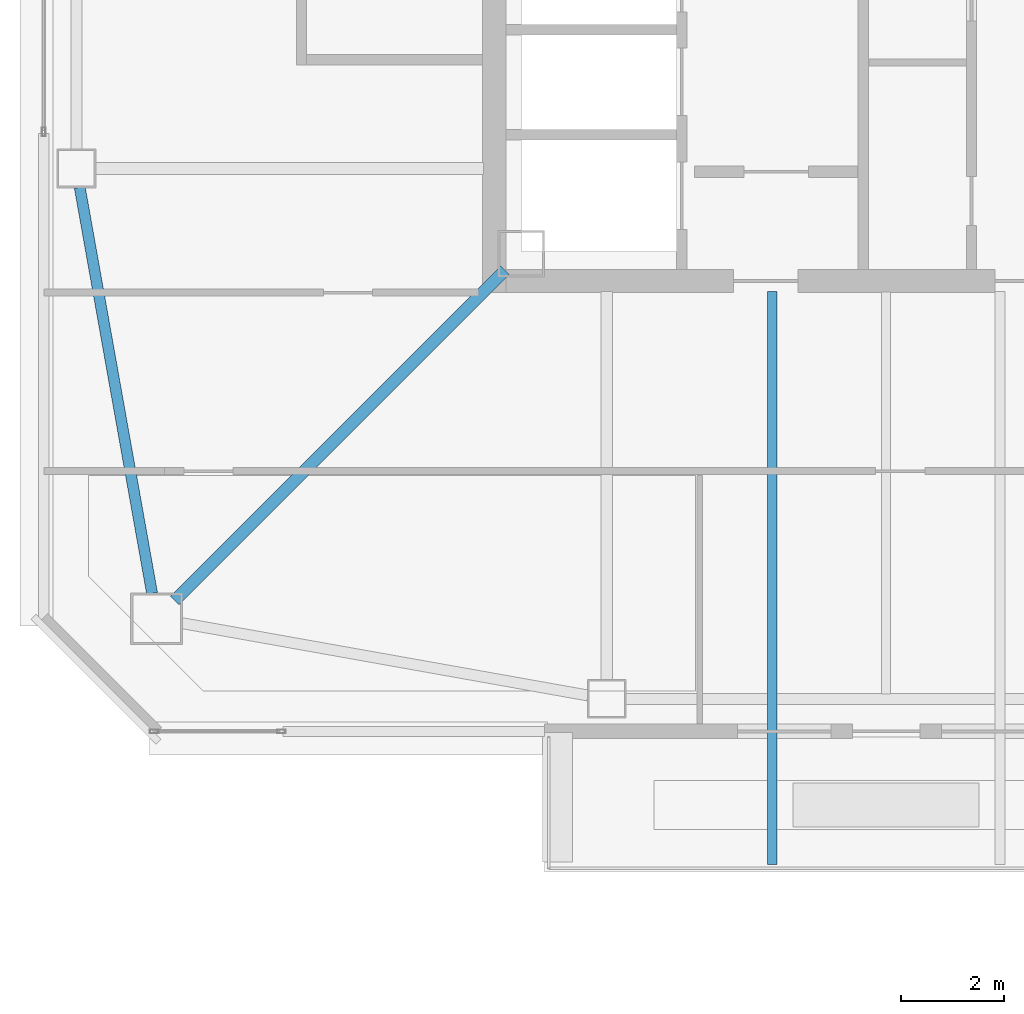
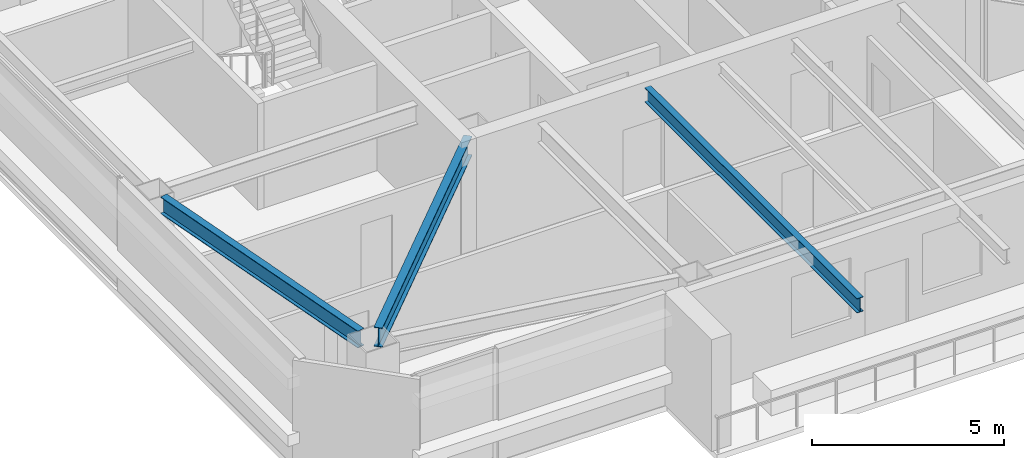
# One storey, part 4 of 40: 3 beams.
"""IFC4 building model written with IfcOpenShell, lengths in metres."""

from ifc_helpers import new_model, si_unit, direction, frame, origin, origin_2d, place, context, subcontext, project, spatial, i_section, extrude, material, material_profile, profile_set, type_object, element, save


model = new_model("IFC4")

# Units and contexts
model_context = context("Model", 3, precision=1e-05, world=origin(), true_north=direction((0.0, 1.0)))
body_context = subcontext(model_context, "Body", "Model", "MODEL_VIEW")
ifc_project = project(units=[si_unit("LENGTHUNIT", "METRE"), si_unit("AREAUNIT", "SQUARE_METRE"), si_unit("VOLUMEUNIT", "CUBIC_METRE"), si_unit("PLANEANGLEUNIT", "RADIAN"), si_unit("MASSUNIT", "GRAM", prefix="KILO")], contexts=[model_context])

# Site, building, storey
site_placement = place(None, origin())
site = spatial("IfcSite", under=ifc_project, at=site_placement, CompositionType="ELEMENT")
building_placement = place(site_placement, origin())
building = spatial("IfcBuilding", under=site, at=building_placement, Name="Tashvorn Skyway Center", CompositionType="ELEMENT")
storey_placement = place(building_placement, frame((0.0, 0.0, 221.949951171875)))
storey = spatial("IfcBuildingStorey", under=building, at=storey_placement, Name="L60", CompositionType="ELEMENT", Elevation=221.949951171875)

# Beams
ifc_material = material(Name="Steel ASTM A992 Grade 50", Category="steel")
ifc_material_profile_1 = material_profile(ifc_material, i_section(OverallWidth=0.22998046875, OverallDepth=0.616943359375, WebThickness=0.01318359375, FlangeThickness=0.022216796875, at=origin_2d()), Name="W24X94")
ifc_profile_set_1 = profile_set([ifc_material_profile_1], Name="Steel ASTM A992 Grade 50")
beam_type_1 = type_object("IfcBeamType", Name="BM-BEAM-W24X94", PredefinedType="BEAM", material=ifc_profile_set_1)
beam_1_placement = place(storey_placement, frame((28.25, 18.25, 3.0615234375), z_axis=(0.707106781187, 0.707106781187, 0.0), x_axis=(-0.707106781187, 0.707106781187, 0.0)))
element("IfcBeam", 1, at=beam_1_placement, inside=storey, type_object=beam_type_1, Name="Tower 1 L60 Primary Floor Girder MC-SW", PredefinedType="BEAM", context=body_context, shape_type="SweptSolid", body=[
    extrude(i_section(OverallWidth=0.22998046875, OverallDepth=0.616943359375, WebThickness=0.01318359375, FlangeThickness=0.022216796875, at=origin_2d()), origin(), (0.0, 0.0, 1.0), 9.030029296875),
])
ifc_material_profile_2 = material_profile(ifc_material, i_section(OverallWidth=0.19091796875, OverallDepth=0.4599609375, WebThickness=0.010009765625, FlangeThickness=0.01611328125, at=origin_2d()), Name="W18X55")
ifc_profile_set_2 = profile_set([ifc_material_profile_2], Name="Steel ASTM A992 Grade 50")
beam_type_2 = type_object("IfcBeamType", Name="BM-JOIST-W18X55", PredefinedType="JOIST", material=ifc_profile_set_2)
beam_2_placement = place(storey_placement, frame((39.800048828125, 24.219970703125, 3.14013671875), z_axis=(0.0, -1.0, 0.0), x_axis=(1.0, 0.0, 0.0)))
element("IfcBeam", 2, at=beam_2_placement, inside=storey, type_object=beam_type_2, Name="Tower 1 L61 Terrace Cantilever Outlooker 1", PredefinedType="JOIST", context=body_context, shape_type="SweptSolid", body=[
    extrude(i_section(OverallWidth=0.19091796875, OverallDepth=0.4599609375, WebThickness=0.010009765625, FlangeThickness=0.01611328125, at=origin_2d()), origin(), (0.0, 0.0, 1.0), 11.070068359375),
])
ifc_material_profile_3 = material_profile(ifc_material, i_section(OverallWidth=0.2109375, OverallDepth=0.5390625, WebThickness=0.01171875, FlangeThickness=0.018798828125, at=origin_2d()), Name="W21X73")
ifc_profile_set_3 = profile_set([ifc_material_profile_3], Name="Steel ASTM A992 Grade 50")
beam_type_3 = type_object("IfcBeamType", Name="BM-SPANDREL-W21X73", PredefinedType="SPANDREL", material=ifc_profile_set_3)
beam_3_placement = place(storey_placement, frame((26.414794921875, 26.23583984375, 3.1005859375), z_axis=(0.17541329759, -0.984494883191, 0.0), x_axis=(0.984494883191, 0.17541329759, 0.0)))
element("IfcBeam", 3, at=beam_3_placement, inside=storey, type_object=beam_type_3, Name="Tower 1 L60 Spandrel Beam 12", PredefinedType="SPANDREL", context=body_context, shape_type="SweptSolid", body=[
    extrude(i_section(OverallWidth=0.2109375, OverallDepth=0.5390625, WebThickness=0.01171875, FlangeThickness=0.018798828125, at=origin_2d()), origin(), (0.0, 0.0, 1.0), 7.97216796875),
])

save(model, "model.ifc")
